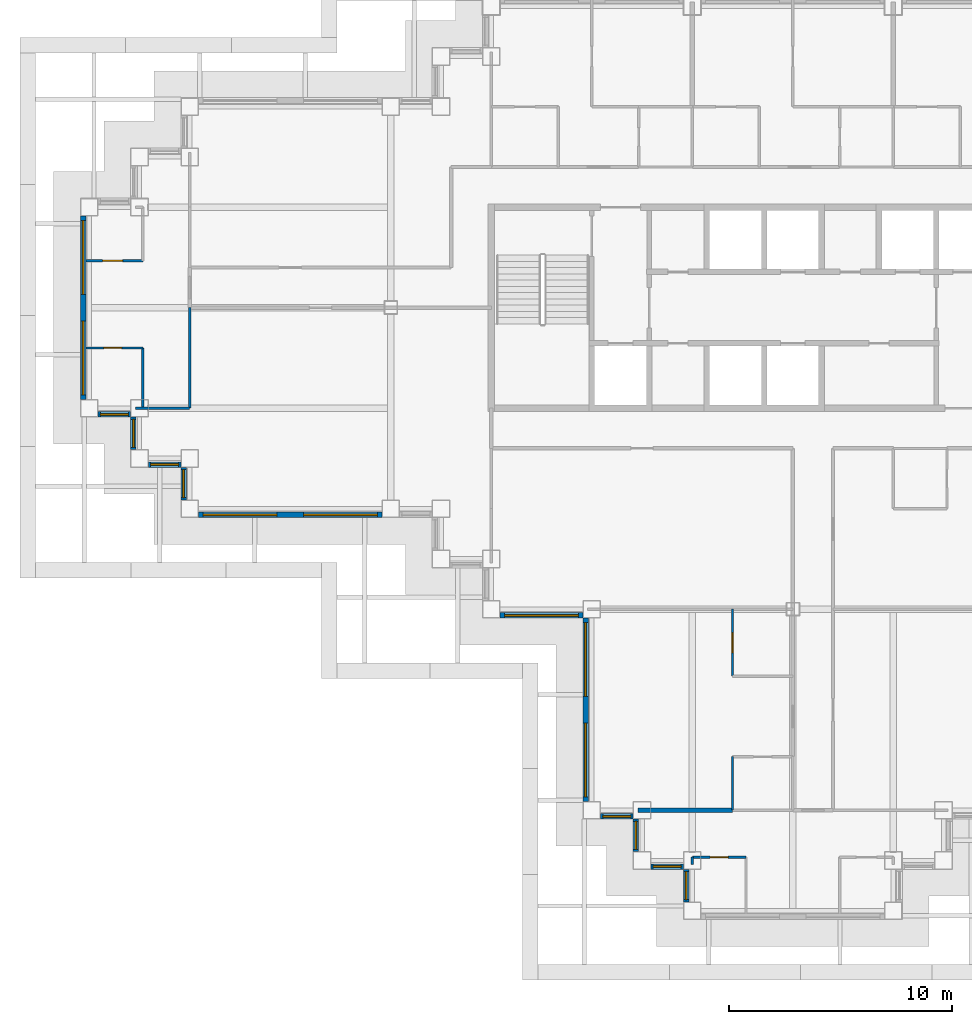
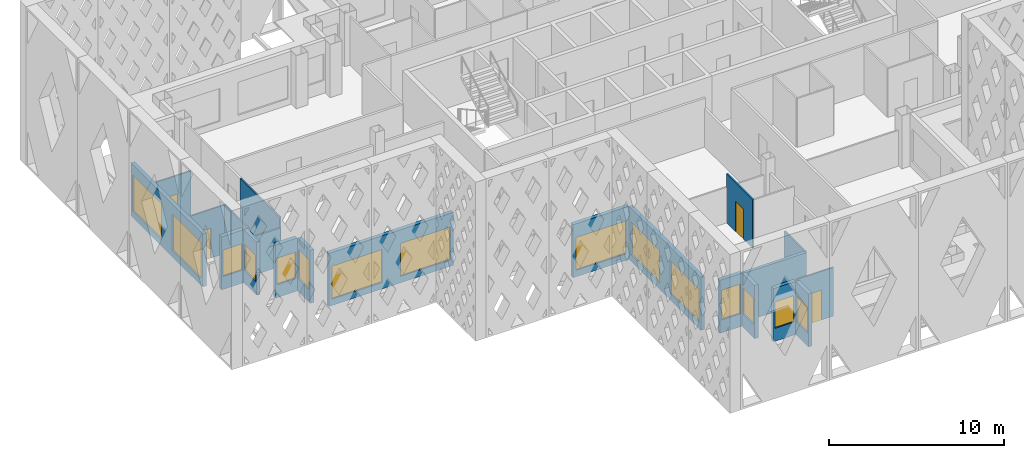
# One storey, part 3 of 18: 22 walls, 15 windows, 4 doors, 19 openings.
"""IFC4 building model written with IfcOpenShell, lengths in metres."""

from ifc_helpers import new_model, si_unit, direction, frame, frame_2d, origin, place, context, subcontext, project, spatial, rectangle, extrude, material, layer, layer_set, type_object, element, fill, save


model = new_model("IFC4")

# Units and contexts
model_context = context("Model", 3, precision=1e-05, world=origin(), true_north=direction((0.0, 1.0)))
body_context = subcontext(model_context, "Body", "Model", "MODEL_VIEW")
ifc_project = project(units=[si_unit("LENGTHUNIT", "METRE"), si_unit("AREAUNIT", "SQUARE_METRE"), si_unit("VOLUMEUNIT", "CUBIC_METRE"), si_unit("PLANEANGLEUNIT", "RADIAN"), si_unit("MASSUNIT", "GRAM", prefix="KILO")], contexts=[model_context])

# Site, building, storey
site_placement = place(None, origin())
site = spatial("IfcSite", under=ifc_project, at=site_placement, CompositionType="ELEMENT")
building_placement = place(site_placement, origin())
building = spatial("IfcBuilding", under=site, at=building_placement, Name="Caravel Reach Hotel and Residences", CompositionType="ELEMENT")
storey_placement = place(building_placement, frame((0.0, 0.0, 165.39990234375)))
storey = spatial("IfcBuildingStorey", under=building, at=storey_placement, Name="L41", CompositionType="ELEMENT", Elevation=165.39990234375)

# Wall, opening, door
ifc_material_1 = material(Name="Gypsum board on steel stud", Category="steel")
ifc_layer_1 = layer(ifc_material_1, 0.10009765625)
ifc_layer_set_1 = layer_set([ifc_layer_1], Name="Bathroom pod wall 100 mm")
wall_type_1 = type_object("IfcWallType", Name="Bathroom pod wall 100 mm", PredefinedType="PARTITIONING", material=ifc_layer_set_1)
wall_1_placement = place(storey_placement, frame((27.0, 2.39990234375, 0.0), z_axis=(0.0, 0.0, 1.0), x_axis=(1.0, 0.0, 0.0)))
wall_1 = element("IfcWall", 1, at=wall_1_placement, inside=storey, type_object=wall_type_1, Name="L41 wall w079", PredefinedType="PARTITIONING", context=body_context, shape_type="SweptSolid", body=[
    extrude(rectangle(XDim=2.39990234375, YDim=0.10009765625, at=frame_2d((1.199951171875, 0.0))), origin(), (0.0, 0.0, 1.0), 3.400146484375),
])
opening_1_placement = place(wall_1_placement, frame((0.800048828125, 0.0, 0.0)))
opening_1 = element("IfcOpeningElement", 2, at=opening_1_placement, cuts=wall_1, Name="Opening D41-047", PredefinedType="OPENING", context=body_context, shape_type="SweptSolid", body=[
    extrude(rectangle(XDim=0.800048828125, YDim=2.10009765625, at=frame_2d((0.39990234375, 1.050048828125))), frame((0.0, 0.06005859375, 0.0), z_axis=(0.0, -1.0, 0.0), x_axis=(1.0, 0.0, 0.0)), (0.0, 0.0, 1.0), 0.1201171875),
])
ifc_material_2 = material(Name="Timber and steel door leaf", Category="steel")
door_type_1 = type_object("IfcDoorType", Name="Bathroom door 800 x 2100", OperationType="SINGLE_SWING_LEFT", PredefinedType="DOOR", material=ifc_material_2)
door_1_placement = place(opening_1_placement, origin())
door_1 = element("IfcDoor", 3, at=door_1_placement, inside=storey, type_object=door_type_1, Name="door D41-047", OperationType="SINGLE_SWING_RIGHT", OverallHeight=2.10009765625, OverallWidth=0.800048828125, PredefinedType="DOOR", context=body_context, shape_type="SweptSolid", body=[
    extrude(rectangle(XDim=0.800048828125, YDim=2.10009765625, at=frame_2d((0.39990234375, 1.050048828125))), frame((0.0, 0.02490234375, 0.0), z_axis=(0.0, -1.0, 0.0), x_axis=(1.0, 0.0, 0.0)), (0.0, 0.0, 1.0), 0.050048828125),
])
fill(opening_1, door_1)

wall_2_placement = place(storey_placement, frame((-0.14990234375, 25.199951171875, 0.0), z_axis=(0.0, 0.0, 1.0), x_axis=(1.0, 0.0, 0.0)))
wall_2 = element("IfcWall", 4, at=wall_2_placement, inside=storey, type_object=wall_type_1, Name="L41 wall w081", PredefinedType="PARTITIONING", context=body_context, shape_type="SweptSolid", body=[
    extrude(rectangle(XDim=2.5498046875, YDim=0.10009765625, at=frame_2d((1.27490234375, 0.0))), origin(), (0.0, 0.0, 1.0), 3.400146484375),
])
opening_2_placement = place(wall_2_placement, frame((0.800048828125, 0.0, 0.0)))
opening_2 = element("IfcOpeningElement", 5, at=opening_2_placement, cuts=wall_2, Name="Opening D41-041", PredefinedType="OPENING", context=body_context, shape_type="SweptSolid", body=[
    extrude(rectangle(XDim=0.800048828125, YDim=2.10009765625, at=frame_2d((0.39990234375, 1.050048828125))), frame((0.0, 0.06005859375, 0.0), z_axis=(0.0, -1.0, 0.0), x_axis=(1.0, 0.0, 0.0)), (0.0, 0.0, 1.0), 0.1201171875),
])
door_2_placement = place(opening_2_placement, origin())
door_2 = element("IfcDoor", 6, at=door_2_placement, inside=storey, type_object=door_type_1, Name="door D41-041", OperationType="SINGLE_SWING_LEFT", OverallHeight=2.10009765625, OverallWidth=0.800048828125, PredefinedType="DOOR", context=body_context, shape_type="SweptSolid", body=[
    extrude(rectangle(XDim=0.800048828125, YDim=2.10009765625, at=frame_2d((0.39990234375, 1.050048828125))), frame((0.0, 0.02490234375, 0.0), z_axis=(0.0, -1.0, 0.0), x_axis=(1.0, 0.0, 0.0)), (0.0, 0.0, 1.0), 0.050048828125),
])
fill(opening_2, door_2)

# Walls
wall_3_placement = place(storey_placement, frame((2.39990234375, 22.5, 0.0), z_axis=(0.0, 0.0, 1.0), x_axis=(0.0, 1.0, 0.0)))
element("IfcWall", 7, at=wall_3_placement, inside=storey, type_object=wall_type_1, Name="L41 wall w091", PredefinedType="PARTITIONING", context=body_context, shape_type="SweptSolid", body=[
    extrude(rectangle(XDim=2.699951171875, YDim=0.10009765625, at=frame_2d((1.35009765625, 0.0))), origin(), (0.0, 0.0, 1.0), 3.400146484375),
])
wall_4_placement = place(storey_placement, frame((27.0, 2.06005859375, 0.0), z_axis=(0.0, 0.0, 1.0), x_axis=(0.0, 1.0, 0.0)))
element("IfcWall", 8, at=wall_4_placement, inside=storey, type_object=wall_type_1, Name="L41 wall w094", PredefinedType="PARTITIONING", context=body_context, shape_type="SweptSolid", body=[
    extrude(rectangle(XDim=0.33984375, YDim=0.10009765625, at=frame_2d((0.169921875, 0.0))), origin(), (0.0, 0.0, 1.0), 3.400146484375),
])
wall_5_placement = place(storey_placement, frame((28.800048828125, 4.5, 0.0), z_axis=(0.0, 0.0, 1.0), x_axis=(0.0, 1.0, 0.0)))
element("IfcWall", 9, at=wall_5_placement, inside=storey, type_object=wall_type_1, Name="L41 wall w095", PredefinedType="PARTITIONING", context=body_context, shape_type="SweptSolid", body=[
    extrude(rectangle(XDim=2.39990234375, YDim=0.10009765625, at=frame_2d((1.199951171875, 0.0))), origin(), (0.0, 0.0, 1.0), 3.400146484375),
])

# Wall, opening, window
ifc_material_3 = material(Name="Insulated rainscreen wall, aluminium cladding", Category="aluminium")
ifc_layer_2 = layer(ifc_material_3, 0.25)
ifc_layer_set_2 = layer_set([ifc_layer_2], Name="EW1 Tower rainscreen wall")
wall_type_2 = type_object("IfcWallType", Name="EW1 Tower rainscreen wall", PredefinedType="SOLIDWALL", material=ifc_layer_set_2)
wall_6_placement = place(storey_placement, frame((22.89990234375, 4.22509765625, 0.0), z_axis=(0.0, 0.0, 1.0), x_axis=(1.0, 0.0, 0.0)))
wall_6 = element("IfcWall", 10, at=wall_6_placement, inside=storey, type_object=wall_type_2, Name="External wall L41 S1.1", PredefinedType="SOLIDWALL", context=body_context, shape_type="SweptSolid", body=[
    extrude(rectangle(XDim=1.4501953125, YDim=0.25, at=frame_2d((0.72509765625, 0.0))), origin(), (0.0, 0.0, 1.0), 3.7001953125),
])
opening_3_placement = place(wall_6_placement, frame((0.10009765625, 0.0, 0.89990234375)))
opening_3 = element("IfcOpeningElement", 11, at=opening_3_placement, cuts=wall_6, Name="Opening WN12", PredefinedType="OPENING", context=body_context, shape_type="SweptSolid", body=[
    extrude(rectangle(XDim=1.25, YDim=2.080078125, at=frame_2d((0.625, 1.0400390625))), frame((0.0, 0.135009765625, 0.0), z_axis=(0.0, -1.0, 0.0), x_axis=(1.0, 0.0, 0.0)), (0.0, 0.0, 1.0), 0.27001953125),
])
ifc_material_4 = material(Name="Dark low-e glazing in black aluminium frame", Category="aluminium")
window_type_1 = type_object("IfcWindowType", Name="Residence bedroom window 1250 x 2080", PartitioningType="SINGLE_PANEL", PredefinedType="WINDOW", material=ifc_material_4)
window_1_placement = place(opening_3_placement, origin())
window_1 = element("IfcWindow", 12, at=window_1_placement, inside=storey, type_object=window_type_1, Name="Window L41 S1.1.1", OverallHeight=2.080078125, OverallWidth=1.25, PartitioningType="SINGLE_PANEL", PredefinedType="WINDOW", context=body_context, shape_type="SweptSolid", body=[
    extrude(rectangle(XDim=1.25, YDim=2.080078125, at=frame_2d((0.625, 1.0400390625))), frame((0.0, 0.030029296875, 0.0), z_axis=(0.0, -1.0, 0.0), x_axis=(1.0, 0.0, 0.0)), (0.0, 0.0, 1.0), 0.06005859375),
])
fill(opening_3, window_1)

wall_7_placement = place(storey_placement, frame((24.47509765625, 4.10009765625, 0.0), z_axis=(0.0, 0.0, 1.0), x_axis=(0.0, -1.0, 0.0)))
wall_7 = element("IfcWall", 13, at=wall_7_placement, inside=storey, type_object=wall_type_2, Name="External wall L41 W2.1", PredefinedType="SOLIDWALL", context=body_context, shape_type="SweptSolid", body=[
    extrude(rectangle(XDim=1.4501953125, YDim=0.25, at=frame_2d((0.72509765625, 0.0))), origin(), (0.0, 0.0, 1.0), 3.7001953125),
])
opening_4_placement = place(wall_7_placement, frame((0.10009765625, 0.0, 0.89990234375)))
opening_4 = element("IfcOpeningElement", 14, at=opening_4_placement, cuts=wall_7, Name="Opening WN13", PredefinedType="OPENING", context=body_context, shape_type="SweptSolid", body=[
    extrude(rectangle(XDim=1.25, YDim=1.85009765625, at=frame_2d((0.625, 0.925048828125))), frame((0.0, 0.135009765625, 0.0), z_axis=(0.0, -1.0, 0.0), x_axis=(1.0, 0.0, 0.0)), (0.0, 0.0, 1.0), 0.27001953125),
])
ifc_material_5 = material(Name="Dark low-e glazing in black aluminium frame", Category="aluminium")
window_type_2 = type_object("IfcWindowType", Name="Residence bedroom window 1250 x 1850", PartitioningType="SINGLE_PANEL", PredefinedType="WINDOW", material=ifc_material_5)
window_2_placement = place(opening_4_placement, origin())
window_2 = element("IfcWindow", 15, at=window_2_placement, inside=storey, type_object=window_type_2, Name="Window L41 W2.1.1", OverallHeight=1.85009765625, OverallWidth=1.25, PartitioningType="SINGLE_PANEL", PredefinedType="WINDOW", context=body_context, shape_type="SweptSolid", body=[
    extrude(rectangle(XDim=1.25, YDim=1.85009765625, at=frame_2d((0.625, 0.925048828125))), frame((0.0, 0.030029296875, 0.0), z_axis=(0.0, -1.0, 0.0), x_axis=(1.0, 0.0, 0.0)), (0.0, 0.0, 1.0), 0.06005859375),
])
fill(opening_4, window_2)

wall_8_placement = place(storey_placement, frame((25.14990234375, 1.97509765625, 0.0), z_axis=(0.0, 0.0, 1.0), x_axis=(1.0, 0.0, 0.0)))
wall_8 = element("IfcWall", 16, at=wall_8_placement, inside=storey, type_object=wall_type_2, Name="External wall L41 S3.1", PredefinedType="SOLIDWALL", context=body_context, shape_type="SweptSolid", body=[
    extrude(rectangle(XDim=1.4501953125, YDim=0.25, at=frame_2d((0.72509765625, 0.0))), origin(), (0.0, 0.0, 1.0), 3.7001953125),
])
opening_5_placement = place(wall_8_placement, frame((0.10009765625, 0.0, 0.89990234375)))
opening_5 = element("IfcOpeningElement", 17, at=opening_5_placement, cuts=wall_8, Name="Opening WN13", PredefinedType="OPENING", context=body_context, shape_type="SweptSolid", body=[
    extrude(rectangle(XDim=1.25, YDim=1.85009765625, at=frame_2d((0.625, 0.925048828125))), frame((0.0, 0.135009765625, 0.0), z_axis=(0.0, -1.0, 0.0), x_axis=(1.0, 0.0, 0.0)), (0.0, 0.0, 1.0), 0.27001953125),
])
window_3_placement = place(opening_5_placement, origin())
window_3 = element("IfcWindow", 18, at=window_3_placement, inside=storey, type_object=window_type_2, Name="Window L41 S3.1.1", OverallHeight=1.85009765625, OverallWidth=1.25, PartitioningType="SINGLE_PANEL", PredefinedType="WINDOW", context=body_context, shape_type="SweptSolid", body=[
    extrude(rectangle(XDim=1.25, YDim=1.85009765625, at=frame_2d((0.625, 0.925048828125))), frame((0.0, 0.030029296875, 0.0), z_axis=(0.0, -1.0, 0.0), x_axis=(1.0, 0.0, 0.0)), (0.0, 0.0, 1.0), 0.06005859375),
])
fill(opening_5, window_3)

wall_9_placement = place(storey_placement, frame((26.72509765625, 1.85009765625, 0.0), z_axis=(0.0, 0.0, 1.0), x_axis=(0.0, -1.0, 0.0)))
wall_9 = element("IfcWall", 19, at=wall_9_placement, inside=storey, type_object=wall_type_2, Name="External wall L41 W4.1", PredefinedType="SOLIDWALL", context=body_context, shape_type="SweptSolid", body=[
    extrude(rectangle(XDim=1.4501953125, YDim=0.25, at=frame_2d((0.72509765625, 0.0))), origin(), (0.0, 0.0, 1.0), 3.7001953125),
])
opening_6_placement = place(wall_9_placement, frame((0.10009765625, 0.0, 0.89990234375)))
opening_6 = element("IfcOpeningElement", 20, at=opening_6_placement, cuts=wall_9, Name="Opening WN13", PredefinedType="OPENING", context=body_context, shape_type="SweptSolid", body=[
    extrude(rectangle(XDim=1.25, YDim=1.85009765625, at=frame_2d((0.625, 0.925048828125))), frame((0.0, 0.135009765625, 0.0), z_axis=(0.0, -1.0, 0.0), x_axis=(1.0, 0.0, 0.0)), (0.0, 0.0, 1.0), 0.27001953125),
])
window_4_placement = place(opening_6_placement, origin())
window_4 = element("IfcWindow", 21, at=window_4_placement, inside=storey, type_object=window_type_2, Name="Window L41 W4.1.1", OverallHeight=1.85009765625, OverallWidth=1.25, PartitioningType="SINGLE_PANEL", PredefinedType="WINDOW", context=body_context, shape_type="SweptSolid", body=[
    extrude(rectangle(XDim=1.25, YDim=1.85009765625, at=frame_2d((0.625, 0.925048828125))), frame((0.0, 0.030029296875, 0.0), z_axis=(0.0, -1.0, 0.0), x_axis=(1.0, 0.0, 0.0)), (0.0, 0.0, 1.0), 0.06005859375),
])
fill(opening_6, window_4)

# Wall, openings, windows
wall_10_placement = place(storey_placement, frame((-0.27490234375, 31.10009765625, 0.0), z_axis=(0.0, 0.0, 1.0), x_axis=(0.0, -1.0, 0.0)))
wall_10 = element("IfcWall", 22, at=wall_10_placement, inside=storey, type_object=wall_type_2, Name="External wall L41 W38.1", PredefinedType="SOLIDWALL", context=body_context, shape_type="SweptSolid", body=[
    extrude(rectangle(XDim=8.2001953125, YDim=0.25, at=frame_2d((4.10009765625, 0.0))), origin(), (0.0, 0.0, 1.0), 3.7001953125),
])
opening_7_placement = place(wall_10_placement, frame((0.199951171875, 0.0, 0.449951171875)))
opening_7 = element("IfcOpeningElement", 23, at=opening_7_placement, cuts=wall_10, Name="Opening WN14", PredefinedType="OPENING", context=body_context, shape_type="SweptSolid", body=[
    extrude(rectangle(XDim=3.300048828125, YDim=2.530029296875, at=frame_2d((1.64990234375, 1.26513671875))), frame((0.0, 0.135009765625, 0.0), z_axis=(0.0, -1.0, 0.0), x_axis=(1.0, 0.0, 0.0)), (0.0, 0.0, 1.0), 0.27001953125),
])
opening_8_placement = place(wall_10_placement, frame((4.699951171875, 0.0, 0.449951171875)))
opening_8 = element("IfcOpeningElement", 24, at=opening_8_placement, cuts=wall_10, Name="Opening WN14", PredefinedType="OPENING", context=body_context, shape_type="SweptSolid", body=[
    extrude(rectangle(XDim=3.300048828125, YDim=2.530029296875, at=frame_2d((1.64990234375, 1.26513671875))), frame((0.0, 0.135009765625, 0.0), z_axis=(0.0, -1.0, 0.0), x_axis=(1.0, 0.0, 0.0)), (0.0, 0.0, 1.0), 0.27001953125),
])
ifc_material_6 = material(Name="Dark low-e glazing in black aluminium frame", Category="aluminium")
window_type_3 = type_object("IfcWindowType", Name="Residence living window 3300 x 2530", PartitioningType="SINGLE_PANEL", PredefinedType="WINDOW", material=ifc_material_6)
window_5_placement = place(opening_7_placement, origin())
window_5 = element("IfcWindow", 25, at=window_5_placement, inside=storey, type_object=window_type_3, Name="Window L41 W38.1.1", OverallHeight=2.530029296875, OverallWidth=3.300048828125, PartitioningType="SINGLE_PANEL", PredefinedType="WINDOW", context=body_context, shape_type="SweptSolid", body=[
    extrude(rectangle(XDim=3.300048828125, YDim=2.530029296875, at=frame_2d((1.64990234375, 1.26513671875))), frame((0.0, 0.030029296875, 0.0), z_axis=(0.0, -1.0, 0.0), x_axis=(1.0, 0.0, 0.0)), (0.0, 0.0, 1.0), 0.06005859375),
])
fill(opening_7, window_5)
window_6_placement = place(opening_8_placement, origin())
window_6 = element("IfcWindow", 26, at=window_6_placement, inside=storey, type_object=window_type_3, Name="Window L41 W38.1.2", OverallHeight=2.530029296875, OverallWidth=3.300048828125, PartitioningType="SINGLE_PANEL", PredefinedType="WINDOW", context=body_context, shape_type="SweptSolid", body=[
    extrude(rectangle(XDim=3.300048828125, YDim=2.530029296875, at=frame_2d((1.64990234375, 1.26513671875))), frame((0.0, 0.030029296875, 0.0), z_axis=(0.0, -1.0, 0.0), x_axis=(1.0, 0.0, 0.0)), (0.0, 0.0, 1.0), 0.06005859375),
])
fill(opening_8, window_6)

# Wall, opening, window
wall_11_placement = place(storey_placement, frame((0.39990234375, 22.22509765625, 0.0), z_axis=(0.0, 0.0, 1.0), x_axis=(1.0, 0.0, 0.0)))
wall_11 = element("IfcWall", 27, at=wall_11_placement, inside=storey, type_object=wall_type_2, Name="External wall L41 S39.1", PredefinedType="SOLIDWALL", context=body_context, shape_type="SweptSolid", body=[
    extrude(rectangle(XDim=1.4501953125, YDim=0.25, at=frame_2d((0.72509765625, 0.0))), origin(), (0.0, 0.0, 1.0), 3.7001953125),
])
opening_9_placement = place(wall_11_placement, frame((0.10009765625, 0.0, 0.89990234375)))
opening_9 = element("IfcOpeningElement", 28, at=opening_9_placement, cuts=wall_11, Name="Opening WN13", PredefinedType="OPENING", context=body_context, shape_type="SweptSolid", body=[
    extrude(rectangle(XDim=1.25, YDim=1.85009765625, at=frame_2d((0.625, 0.925048828125))), frame((0.0, 0.135009765625, 0.0), z_axis=(0.0, -1.0, 0.0), x_axis=(1.0, 0.0, 0.0)), (0.0, 0.0, 1.0), 0.27001953125),
])
window_7_placement = place(opening_9_placement, origin())
window_7 = element("IfcWindow", 29, at=window_7_placement, inside=storey, type_object=window_type_2, Name="Window L41 S39.1.1", OverallHeight=1.85009765625, OverallWidth=1.25, PartitioningType="SINGLE_PANEL", PredefinedType="WINDOW", context=body_context, shape_type="SweptSolid", body=[
    extrude(rectangle(XDim=1.25, YDim=1.85009765625, at=frame_2d((0.625, 0.925048828125))), frame((0.0, 0.030029296875, 0.0), z_axis=(0.0, -1.0, 0.0), x_axis=(1.0, 0.0, 0.0)), (0.0, 0.0, 1.0), 0.06005859375),
])
fill(opening_9, window_7)

wall_12_placement = place(storey_placement, frame((1.97509765625, 22.10009765625, 0.0), z_axis=(0.0, 0.0, 1.0), x_axis=(0.0, -1.0, 0.0)))
wall_12 = element("IfcWall", 30, at=wall_12_placement, inside=storey, type_object=wall_type_2, Name="External wall L41 W40.1", PredefinedType="SOLIDWALL", context=body_context, shape_type="SweptSolid", body=[
    extrude(rectangle(XDim=1.4501953125, YDim=0.25, at=frame_2d((0.72509765625, 0.0))), origin(), (0.0, 0.0, 1.0), 3.7001953125),
])
opening_10_placement = place(wall_12_placement, frame((0.10009765625, 0.0, 0.89990234375)))
opening_10 = element("IfcOpeningElement", 31, at=opening_10_placement, cuts=wall_12, Name="Opening WN13", PredefinedType="OPENING", context=body_context, shape_type="SweptSolid", body=[
    extrude(rectangle(XDim=1.25, YDim=1.85009765625, at=frame_2d((0.625, 0.925048828125))), frame((0.0, 0.135009765625, 0.0), z_axis=(0.0, -1.0, 0.0), x_axis=(1.0, 0.0, 0.0)), (0.0, 0.0, 1.0), 0.27001953125),
])
window_8_placement = place(opening_10_placement, origin())
window_8 = element("IfcWindow", 32, at=window_8_placement, inside=storey, type_object=window_type_2, Name="Window L41 W40.1.1", OverallHeight=1.85009765625, OverallWidth=1.25, PartitioningType="SINGLE_PANEL", PredefinedType="WINDOW", context=body_context, shape_type="SweptSolid", body=[
    extrude(rectangle(XDim=1.25, YDim=1.85009765625, at=frame_2d((0.625, 0.925048828125))), frame((0.0, 0.030029296875, 0.0), z_axis=(0.0, -1.0, 0.0), x_axis=(1.0, 0.0, 0.0)), (0.0, 0.0, 1.0), 0.06005859375),
])
fill(opening_10, window_8)

wall_13_placement = place(storey_placement, frame((2.64990234375, 19.97509765625, 0.0), z_axis=(0.0, 0.0, 1.0), x_axis=(1.0, 0.0, 0.0)))
wall_13 = element("IfcWall", 33, at=wall_13_placement, inside=storey, type_object=wall_type_2, Name="External wall L41 S41.1", PredefinedType="SOLIDWALL", context=body_context, shape_type="SweptSolid", body=[
    extrude(rectangle(XDim=1.4501953125, YDim=0.25, at=frame_2d((0.72509765625, 0.0))), origin(), (0.0, 0.0, 1.0), 3.7001953125),
])
opening_11_placement = place(wall_13_placement, frame((0.10009765625, 0.0, 0.89990234375)))
opening_11 = element("IfcOpeningElement", 34, at=opening_11_placement, cuts=wall_13, Name="Opening WN13", PredefinedType="OPENING", context=body_context, shape_type="SweptSolid", body=[
    extrude(rectangle(XDim=1.25, YDim=1.85009765625, at=frame_2d((0.625, 0.925048828125))), frame((0.0, 0.135009765625, 0.0), z_axis=(0.0, -1.0, 0.0), x_axis=(1.0, 0.0, 0.0)), (0.0, 0.0, 1.0), 0.27001953125),
])
window_9_placement = place(opening_11_placement, origin())
window_9 = element("IfcWindow", 35, at=window_9_placement, inside=storey, type_object=window_type_2, Name="Window L41 S41.1.1", OverallHeight=1.85009765625, OverallWidth=1.25, PartitioningType="SINGLE_PANEL", PredefinedType="WINDOW", context=body_context, shape_type="SweptSolid", body=[
    extrude(rectangle(XDim=1.25, YDim=1.85009765625, at=frame_2d((0.625, 0.925048828125))), frame((0.0, 0.030029296875, 0.0), z_axis=(0.0, -1.0, 0.0), x_axis=(1.0, 0.0, 0.0)), (0.0, 0.0, 1.0), 0.06005859375),
])
fill(opening_11, window_9)

wall_14_placement = place(storey_placement, frame((4.22509765625, 19.85009765625, 0.0), z_axis=(0.0, 0.0, 1.0), x_axis=(0.0, -1.0, 0.0)))
wall_14 = element("IfcWall", 36, at=wall_14_placement, inside=storey, type_object=wall_type_2, Name="External wall L41 W42.1", PredefinedType="SOLIDWALL", context=body_context, shape_type="SweptSolid", body=[
    extrude(rectangle(XDim=1.4501953125, YDim=0.25, at=frame_2d((0.72509765625, 0.0))), origin(), (0.0, 0.0, 1.0), 3.7001953125),
])
opening_12_placement = place(wall_14_placement, frame((0.10009765625, 0.0, 0.89990234375)))
opening_12 = element("IfcOpeningElement", 37, at=opening_12_placement, cuts=wall_14, Name="Opening WN12", PredefinedType="OPENING", context=body_context, shape_type="SweptSolid", body=[
    extrude(rectangle(XDim=1.25, YDim=2.080078125, at=frame_2d((0.625, 1.0400390625))), frame((0.0, 0.135009765625, 0.0), z_axis=(0.0, -1.0, 0.0), x_axis=(1.0, 0.0, 0.0)), (0.0, 0.0, 1.0), 0.27001953125),
])
window_10_placement = place(opening_12_placement, origin())
window_10 = element("IfcWindow", 38, at=window_10_placement, inside=storey, type_object=window_type_1, Name="Window L41 W42.1.1", OverallHeight=2.080078125, OverallWidth=1.25, PartitioningType="SINGLE_PANEL", PredefinedType="WINDOW", context=body_context, shape_type="SweptSolid", body=[
    extrude(rectangle(XDim=1.25, YDim=2.080078125, at=frame_2d((0.625, 1.0400390625))), frame((0.0, 0.030029296875, 0.0), z_axis=(0.0, -1.0, 0.0), x_axis=(1.0, 0.0, 0.0)), (0.0, 0.0, 1.0), 0.06005859375),
])
fill(opening_12, window_10)

# Wall, openings, windows
wall_15_placement = place(storey_placement, frame((4.89990234375, 17.72509765625, 0.0), z_axis=(0.0, 0.0, 1.0), x_axis=(1.0, 0.0, 0.0)))
wall_15 = element("IfcWall", 39, at=wall_15_placement, inside=storey, type_object=wall_type_2, Name="External wall L41 S43.1", PredefinedType="SOLIDWALL", context=body_context, shape_type="SweptSolid", body=[
    extrude(rectangle(XDim=8.2001953125, YDim=0.25, at=frame_2d((4.10009765625, 0.0))), origin(), (0.0, 0.0, 1.0), 3.7001953125),
])
opening_13_placement = place(wall_15_placement, frame((0.199951171875, 0.0, 0.449951171875)))
opening_13 = element("IfcOpeningElement", 40, at=opening_13_placement, cuts=wall_15, Name="Opening WN15", PredefinedType="OPENING", context=body_context, shape_type="SweptSolid", body=[
    extrude(rectangle(XDim=3.300048828125, YDim=2.300048828125, at=frame_2d((1.64990234375, 1.14990234375))), frame((0.0, 0.135009765625, 0.0), z_axis=(0.0, -1.0, 0.0), x_axis=(1.0, 0.0, 0.0)), (0.0, 0.0, 1.0), 0.27001953125),
])
opening_14_placement = place(wall_15_placement, frame((4.699951171875, 0.0, 0.449951171875)))
opening_14 = element("IfcOpeningElement", 41, at=opening_14_placement, cuts=wall_15, Name="Opening WN15", PredefinedType="OPENING", context=body_context, shape_type="SweptSolid", body=[
    extrude(rectangle(XDim=3.300048828125, YDim=2.300048828125, at=frame_2d((1.64990234375, 1.14990234375))), frame((0.0, 0.135009765625, 0.0), z_axis=(0.0, -1.0, 0.0), x_axis=(1.0, 0.0, 0.0)), (0.0, 0.0, 1.0), 0.27001953125),
])
ifc_material_7 = material(Name="Dark low-e glazing in black aluminium frame", Category="aluminium")
window_type_4 = type_object("IfcWindowType", Name="Residence living window 3300 x 2300", PartitioningType="SINGLE_PANEL", PredefinedType="WINDOW", material=ifc_material_7)
window_11_placement = place(opening_13_placement, origin())
window_11 = element("IfcWindow", 42, at=window_11_placement, inside=storey, type_object=window_type_4, Name="Window L41 S43.1.1", OverallHeight=2.300048828125, OverallWidth=3.300048828125, PartitioningType="SINGLE_PANEL", PredefinedType="WINDOW", context=body_context, shape_type="SweptSolid", body=[
    extrude(rectangle(XDim=3.300048828125, YDim=2.300048828125, at=frame_2d((1.64990234375, 1.14990234375))), frame((0.0, 0.030029296875, 0.0), z_axis=(0.0, -1.0, 0.0), x_axis=(1.0, 0.0, 0.0)), (0.0, 0.0, 1.0), 0.06005859375),
])
fill(opening_13, window_11)
window_12_placement = place(opening_14_placement, origin())
window_12 = element("IfcWindow", 43, at=window_12_placement, inside=storey, type_object=window_type_4, Name="Window L41 S43.1.2", OverallHeight=2.300048828125, OverallWidth=3.300048828125, PartitioningType="SINGLE_PANEL", PredefinedType="WINDOW", context=body_context, shape_type="SweptSolid", body=[
    extrude(rectangle(XDim=3.300048828125, YDim=2.300048828125, at=frame_2d((1.64990234375, 1.14990234375))), frame((0.0, 0.030029296875, 0.0), z_axis=(0.0, -1.0, 0.0), x_axis=(1.0, 0.0, 0.0)), (0.0, 0.0, 1.0), 0.06005859375),
])
fill(opening_14, window_12)

# Wall, opening, window
wall_16_placement = place(storey_placement, frame((18.39990234375, 13.22509765625, 0.0), z_axis=(0.0, 0.0, 1.0), x_axis=(1.0, 0.0, 0.0)))
wall_16 = element("IfcWall", 44, at=wall_16_placement, inside=storey, type_object=wall_type_2, Name="External wall L41 S47.1", PredefinedType="SOLIDWALL", context=body_context, shape_type="SweptSolid", body=[
    extrude(rectangle(XDim=3.7001953125, YDim=0.25, at=frame_2d((1.85009765625, 0.0))), origin(), (0.0, 0.0, 1.0), 3.7001953125),
])
opening_15_placement = place(wall_16_placement, frame((0.199951171875, 0.0, 0.449951171875)))
opening_15 = element("IfcOpeningElement", 45, at=opening_15_placement, cuts=wall_16, Name="Opening WN15", PredefinedType="OPENING", context=body_context, shape_type="SweptSolid", body=[
    extrude(rectangle(XDim=3.300048828125, YDim=2.300048828125, at=frame_2d((1.64990234375, 1.14990234375))), frame((0.0, 0.135009765625, 0.0), z_axis=(0.0, -1.0, 0.0), x_axis=(1.0, 0.0, 0.0)), (0.0, 0.0, 1.0), 0.27001953125),
])
window_13_placement = place(opening_15_placement, origin())
window_13 = element("IfcWindow", 46, at=window_13_placement, inside=storey, type_object=window_type_4, Name="Window L41 S47.1.1", OverallHeight=2.300048828125, OverallWidth=3.300048828125, PartitioningType="SINGLE_PANEL", PredefinedType="WINDOW", context=body_context, shape_type="SweptSolid", body=[
    extrude(rectangle(XDim=3.300048828125, YDim=2.300048828125, at=frame_2d((1.64990234375, 1.14990234375))), frame((0.0, 0.030029296875, 0.0), z_axis=(0.0, -1.0, 0.0), x_axis=(1.0, 0.0, 0.0)), (0.0, 0.0, 1.0), 0.06005859375),
])
fill(opening_15, window_13)

# Wall, openings, windows
wall_17_placement = place(storey_placement, frame((22.22509765625, 13.10009765625, 0.0), z_axis=(0.0, 0.0, 1.0), x_axis=(0.0, -1.0, 0.0)))
wall_17 = element("IfcWall", 47, at=wall_17_placement, inside=storey, type_object=wall_type_2, Name="External wall L41 W48.1", PredefinedType="SOLIDWALL", context=body_context, shape_type="SweptSolid", body=[
    extrude(rectangle(XDim=8.2001953125, YDim=0.25, at=frame_2d((4.10009765625, 0.0))), origin(), (0.0, 0.0, 1.0), 3.7001953125),
])
opening_16_placement = place(wall_17_placement, frame((0.199951171875, 0.0, 0.449951171875)))
opening_16 = element("IfcOpeningElement", 48, at=opening_16_placement, cuts=wall_17, Name="Opening WN15", PredefinedType="OPENING", context=body_context, shape_type="SweptSolid", body=[
    extrude(rectangle(XDim=3.300048828125, YDim=2.300048828125, at=frame_2d((1.64990234375, 1.14990234375))), frame((0.0, 0.135009765625, 0.0), z_axis=(0.0, -1.0, 0.0), x_axis=(1.0, 0.0, 0.0)), (0.0, 0.0, 1.0), 0.27001953125),
])
opening_17_placement = place(wall_17_placement, frame((4.699951171875, 0.0, 0.449951171875)))
opening_17 = element("IfcOpeningElement", 49, at=opening_17_placement, cuts=wall_17, Name="Opening WN15", PredefinedType="OPENING", context=body_context, shape_type="SweptSolid", body=[
    extrude(rectangle(XDim=3.300048828125, YDim=2.300048828125, at=frame_2d((1.64990234375, 1.14990234375))), frame((0.0, 0.135009765625, 0.0), z_axis=(0.0, -1.0, 0.0), x_axis=(1.0, 0.0, 0.0)), (0.0, 0.0, 1.0), 0.27001953125),
])
window_14_placement = place(opening_16_placement, origin())
window_14 = element("IfcWindow", 50, at=window_14_placement, inside=storey, type_object=window_type_4, Name="Window L41 W48.1.1", OverallHeight=2.300048828125, OverallWidth=3.300048828125, PartitioningType="SINGLE_PANEL", PredefinedType="WINDOW", context=body_context, shape_type="SweptSolid", body=[
    extrude(rectangle(XDim=3.300048828125, YDim=2.300048828125, at=frame_2d((1.64990234375, 1.14990234375))), frame((0.0, 0.030029296875, 0.0), z_axis=(0.0, -1.0, 0.0), x_axis=(1.0, 0.0, 0.0)), (0.0, 0.0, 1.0), 0.06005859375),
])
fill(opening_16, window_14)
window_15_placement = place(opening_17_placement, origin())
window_15 = element("IfcWindow", 51, at=window_15_placement, inside=storey, type_object=window_type_4, Name="Window L41 W48.1.2", OverallHeight=2.300048828125, OverallWidth=3.300048828125, PartitioningType="SINGLE_PANEL", PredefinedType="WINDOW", context=body_context, shape_type="SweptSolid", body=[
    extrude(rectangle(XDim=3.300048828125, YDim=2.300048828125, at=frame_2d((1.64990234375, 1.14990234375))), frame((0.0, 0.030029296875, 0.0), z_axis=(0.0, -1.0, 0.0), x_axis=(1.0, 0.0, 0.0)), (0.0, 0.0, 1.0), 0.06005859375),
])
fill(opening_17, window_15)

# Wall
ifc_material_8 = material(Name="Gypsum board on steel stud", Category="steel")
ifc_layer_3 = layer(ifc_material_8, 0.10009765625)
ifc_layer_set_3 = layer_set([ifc_layer_3], Name="Partition 100 mm")
wall_type_3 = type_object("IfcWallType", Name="Partition 100 mm", PredefinedType="PARTITIONING", material=ifc_layer_set_3)
wall_18_placement = place(storey_placement, frame((2.06005859375, 22.5, 0.0), z_axis=(0.0, 0.0, 1.0), x_axis=(1.0, 0.0, 0.0)))
element("IfcWall", 52, at=wall_18_placement, inside=storey, type_object=wall_type_3, Name="L41 wall w039", PredefinedType="PARTITIONING", context=body_context, shape_type="SweptSolid", body=[
    extrude(rectangle(XDim=2.43896484375, YDim=0.10009765625, at=frame_2d((1.219482421875, 0.0))), origin(), (0.0, 0.0, 1.0), 2.68017578125),
])

# Wall, opening, door
wall_19_placement = place(storey_placement, frame((-0.14990234375, 29.10009765625, 0.0), z_axis=(0.0, 0.0, 1.0), x_axis=(1.0, 0.0, 0.0)))
wall_19 = element("IfcWall", 53, at=wall_19_placement, inside=storey, type_object=wall_type_3, Name="L41 wall w041", PredefinedType="PARTITIONING", context=body_context, shape_type="SweptSolid", body=[
    extrude(rectangle(XDim=2.5498046875, YDim=0.10009765625, at=frame_2d((1.27490234375, 0.0))), origin(), (0.0, 0.0, 1.0), 3.400146484375),
])
opening_18_placement = place(wall_19_placement, frame((0.75, 0.0, 0.0)))
opening_18 = element("IfcOpeningElement", 54, at=opening_18_placement, cuts=wall_19, Name="Opening D41-042", PredefinedType="OPENING", context=body_context, shape_type="SweptSolid", body=[
    extrude(rectangle(XDim=0.89990234375, YDim=2.10009765625, at=frame_2d((0.449951171875, 1.050048828125))), frame((0.0, 0.06005859375, 0.0), z_axis=(0.0, -1.0, 0.0), x_axis=(1.0, 0.0, 0.0)), (0.0, 0.0, 1.0), 0.1201171875),
])
ifc_material_9 = material(Name="Timber and steel door leaf", Category="steel")
door_type_2 = type_object("IfcDoorType", Name="Door 900 x 2100 timber", OperationType="SINGLE_SWING_LEFT", PredefinedType="DOOR", material=ifc_material_9)
door_3_placement = place(opening_18_placement, origin())
door_3 = element("IfcDoor", 55, at=door_3_placement, inside=storey, type_object=door_type_2, Name="door D41-042", OperationType="SINGLE_SWING_LEFT", OverallHeight=2.10009765625, OverallWidth=0.89990234375, PredefinedType="DOOR", context=body_context, shape_type="SweptSolid", body=[
    extrude(rectangle(XDim=0.89990234375, YDim=2.10009765625, at=frame_2d((0.449951171875, 1.050048828125))), frame((0.0, 0.02490234375, 0.0), z_axis=(0.0, -1.0, 0.0), x_axis=(1.0, 0.0, 0.0)), (0.0, 0.0, 1.0), 0.050048828125),
])
fill(opening_18, door_3)

wall_20_placement = place(storey_placement, frame((28.800048828125, 10.5, 0.0), z_axis=(0.0, 0.0, 1.0), x_axis=(0.0, 1.0, 0.0)))
wall_20 = element("IfcWall", 56, at=wall_20_placement, inside=storey, type_object=wall_type_3, Name="L41 wall w058", PredefinedType="PARTITIONING", context=body_context, shape_type="SweptSolid", body=[
    extrude(rectangle(XDim=3.0, YDim=0.10009765625, at=frame_2d((1.5, 0.0))), origin(), (0.0, 0.0, 1.0), 3.400146484375),
])
opening_19_placement = place(wall_20_placement, frame((1.050048828125, 0.0, 0.0)))
opening_19 = element("IfcOpeningElement", 57, at=opening_19_placement, cuts=wall_20, Name="Opening D41-038", PredefinedType="OPENING", context=body_context, shape_type="SweptSolid", body=[
    extrude(rectangle(XDim=0.89990234375, YDim=2.10009765625, at=frame_2d((0.449951171875, 1.050048828125))), frame((0.0, 0.06005859375, 0.0), z_axis=(0.0, -1.0, 0.0), x_axis=(1.0, 0.0, 0.0)), (0.0, 0.0, 1.0), 0.1201171875),
])
door_4_placement = place(opening_19_placement, origin())
door_4 = element("IfcDoor", 58, at=door_4_placement, inside=storey, type_object=door_type_2, Name="door D41-038", OperationType="SINGLE_SWING_RIGHT", OverallHeight=2.10009765625, OverallWidth=0.89990234375, PredefinedType="DOOR", context=body_context, shape_type="SweptSolid", body=[
    extrude(rectangle(XDim=0.89990234375, YDim=2.10009765625, at=frame_2d((0.449951171875, 1.050048828125))), frame((0.0, 0.02490234375, 0.0), z_axis=(0.0, -1.0, 0.0), x_axis=(1.0, 0.0, 0.0)), (0.0, 0.0, 1.0), 0.050048828125),
])
fill(opening_19, door_4)

# Walls
wall_21_placement = place(storey_placement, frame((4.5, 22.5, 0.0), z_axis=(0.0, 0.0, 1.0), x_axis=(0.0, 1.0, 0.0)))
element("IfcWall", 59, at=wall_21_placement, inside=storey, type_object=wall_type_3, Name="L41 wall w066", PredefinedType="PARTITIONING", context=body_context, shape_type="SweptSolid", body=[
    extrude(rectangle(XDim=4.5, YDim=0.10009765625, at=frame_2d((2.25, 0.0))), origin(), (0.0, 0.0, 1.0), 3.400146484375),
])
ifc_material_10 = material(Name="Autoclaved aerated block wall")
ifc_layer_4 = layer(ifc_material_10, 0.199951171875)
ifc_layer_set_4 = layer_set([ifc_layer_4], Name="Party wall 200 mm EI 60")
wall_type_4 = type_object("IfcWallType", Name="Party wall 200 mm EI 60", PredefinedType="PARTITIONING", material=ifc_layer_set_4)
wall_22_placement = place(storey_placement, frame((24.56005859375, 4.5, 0.0), z_axis=(0.0, 0.0, 1.0), x_axis=(1.0, 0.0, 0.0)))
element("IfcWall", 60, at=wall_22_placement, inside=storey, type_object=wall_type_4, Name="L41 wall w075", PredefinedType="PARTITIONING", context=body_context, shape_type="SweptSolid", body=[
    extrude(rectangle(XDim=4.239990234375, YDim=0.199951171875, at=frame_2d((2.1201171875, 0.0))), origin(), (0.0, 0.0, 1.0), 3.400146484375),
])

save(model, "model.ifc")
